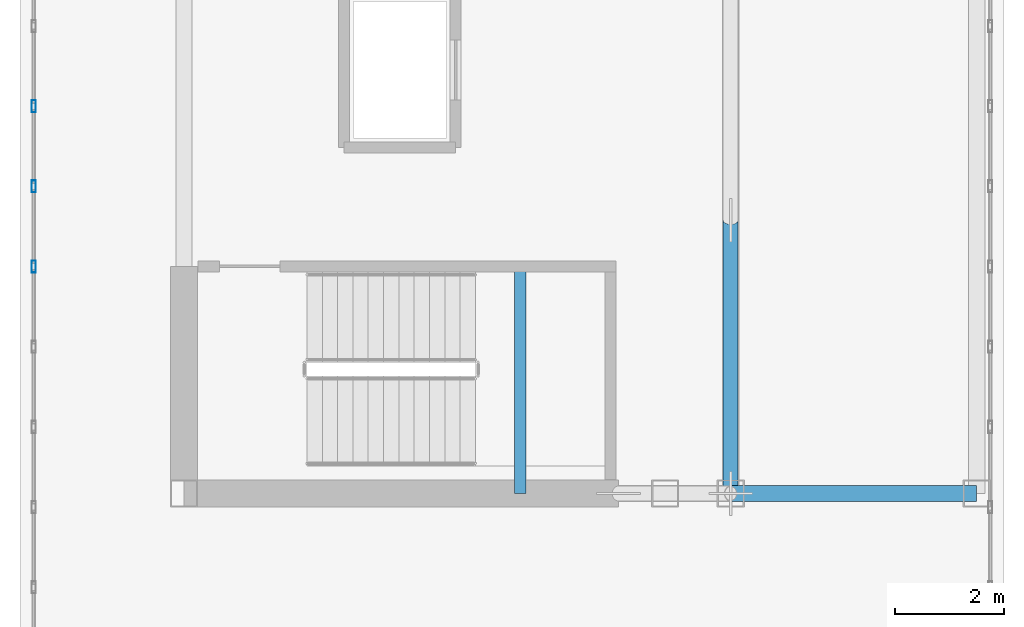
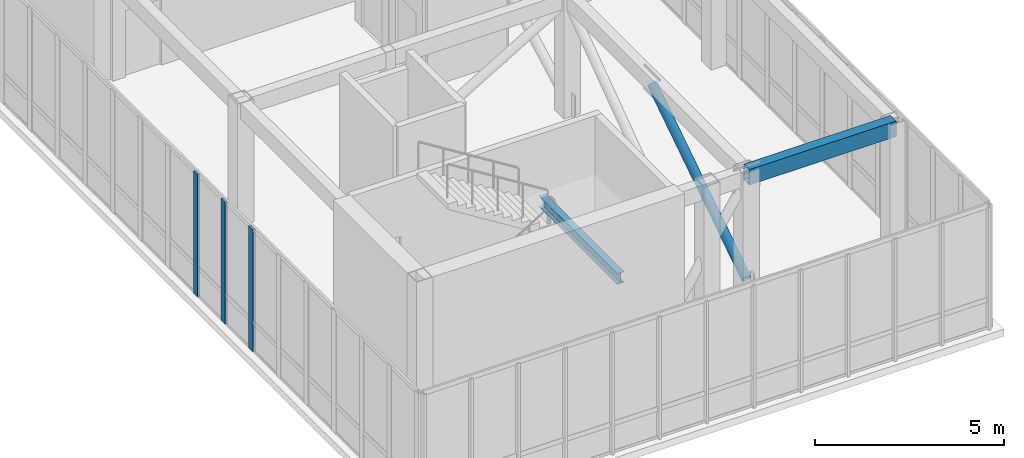
# One storey, part 3 of 13: 4 members, 2 beams, 1 element without a shape of its own.
"""IFC4 building model written with IfcOpenShell, lengths in metres."""

from ifc_helpers import new_model, si_unit, direction, frame, origin, origin_2d, place, context, subcontext, project, spatial, hollow_rectangle, hollow_circle, i_section, extrude, source, transform, mapped, material, layer, layer_set, material_profile, profile_set, type_object, element, aggregate, save


model = new_model("IFC4")

# Units and contexts
model_context = context("Model", 3, precision=1e-05, world=origin(), true_north=direction((0.0, 1.0)))
body_context = subcontext(model_context, "Body", "Model", "MODEL_VIEW")
ifc_project = project(units=[si_unit("LENGTHUNIT", "METRE"), si_unit("AREAUNIT", "SQUARE_METRE"), si_unit("VOLUMEUNIT", "CUBIC_METRE"), si_unit("PLANEANGLEUNIT", "RADIAN"), si_unit("MASSUNIT", "GRAM", prefix="KILO")], contexts=[model_context])

# Site, building, storey
site_placement = place(None, origin())
site = spatial("IfcSite", under=ifc_project, at=site_placement, CompositionType="ELEMENT")
building_placement = place(site_placement, origin())
building = spatial("IfcBuilding", under=site, at=building_placement, Name="Kharzan Plaza Tower", CompositionType="ELEMENT")
storey_placement = place(building_placement, frame((0.0, 0.0, 281.39990234375)))
storey = spatial("IfcBuildingStorey", under=building, at=storey_placement, Name="L76-CROWN", CompositionType="ELEMENT", Elevation=281.39990234375)

# Beams
ifc_material_1 = material(Name="Steel S355", Category="steel")
ifc_material_profile_1 = material_profile(ifc_material_1, i_section(OverallWidth=0.205078125, OverallDepth=0.35400390625, WebThickness=0.009521484375, FlangeThickness=0.016845703125, at=origin_2d()), Name="W360x79")
ifc_profile_set_1 = profile_set([ifc_material_profile_1], Name="Steel S355")
beam_type_1 = type_object("IfcBeamType", Name="BM-LNT360", PredefinedType="LINTEL", material=ifc_profile_set_1)
shared_shape_1 = source(origin(), body_context, "Body", "SweptSolid", [
    extrude(i_section(OverallWidth=0.205078125, OverallDepth=0.35400390625, WebThickness=0.009521484375, FlangeThickness=0.016845703125, at=origin_2d()), origin(), (0.0, 0.0, 1.0), 4.155029296875),
])
beam_1_placement = place(storey_placement, frame((10.64990234375, 8.5, 1.72314453125), z_axis=(0.0, 1.0, 0.0), x_axis=(-1.0, 0.0, 0.0)))
element("IfcBeam", 1, at=beam_1_placement, inside=storey, type_object=beam_type_1, Name="L76-CROWN Stair ST-1 Half-Landing Beam", PredefinedType="LINTEL", context=body_context, shape_type="MappedRepresentation", body=[
    mapped(shared_shape_1, transform((0.0, 0.0, 0.0), x_axis=(1.0, 0.0, 0.0), y_axis=(0.0, 1.0, 0.0), z_axis=(0.0, 0.0, 1.0))),
])
ifc_material_profile_2 = material_profile(ifc_material_1, hollow_rectangle(XDim=0.300048828125, YDim=0.5, WallThickness=0.02001953125, at=origin_2d()), Name="RHS500x300x20")
ifc_profile_set_2 = profile_set([ifc_material_profile_2], Name="Steel S355")
beam_type_2 = type_object("IfcBeamType", Name="BM-CRN500", PredefinedType="BEAM", material=ifc_profile_set_2)
shared_shape_2 = source(origin(), body_context, "Body", "SweptSolid", [
    extrude(hollow_rectangle(XDim=0.300048828125, YDim=0.5, WallThickness=0.02001953125, at=origin_2d()), origin(), (0.0, 0.0, 1.0), 4.5),
])
beam_2_placement = place(storey_placement, frame((14.5, 8.5, 3.72021484375), z_axis=(1.0, 0.0, 0.0), x_axis=(0.0, 1.0, 0.0)))
element("IfcBeam", 2, at=beam_2_placement, inside=storey, type_object=beam_type_2, Name="L76-CROWN CROWN FRAME Lantern Ring Beam CRB-S3", PredefinedType="BEAM", context=body_context, shape_type="MappedRepresentation", body=[
    mapped(shared_shape_2, transform((0.0, 0.0, 0.0), x_axis=(1.0, 0.0, 0.0), y_axis=(0.0, 1.0, 0.0), z_axis=(0.0, 0.0, 1.0))),
])

# Member
ifc_material_profile_3 = material_profile(ifc_material_1, hollow_circle(Radius=0.136474609375, WallThickness=0.010009765625, at=origin_2d()), Name="CHS273x10")
ifc_profile_set_3 = profile_set([ifc_material_profile_3], Name="Steel S355")
member_type_1 = type_object("IfcMemberType", Name="MEM-CRN-DIAG", PredefinedType="BRACE", material=ifc_profile_set_3)
shared_shape_3 = source(origin(), body_context, "Body", "SweptSolid", [
    extrude(hollow_circle(Radius=0.136474609375, WallThickness=0.010009765625, at=origin_2d()), origin(), (0.0, 0.0, 1.0), 5.974365234375),
])
member_1_placement = place(storey_placement, frame((14.5, 8.5, 0.35009765625), z_axis=(0.0, 0.836909137571, 0.547341845148), x_axis=(-1.0, 0.0, 0.0)))
element("IfcMember", 3, at=member_1_placement, inside=storey, type_object=member_type_1, Name="L76-CROWN CROWN FRAME Diagonal Wind Brace CRD-S1", PredefinedType="BRACE", context=body_context, shape_type="MappedRepresentation", body=[
    mapped(shared_shape_3, transform((0.0, 0.0, 0.0), x_axis=(1.0, 0.0, 0.0), y_axis=(0.0, 1.0, 0.0), z_axis=(0.0, 0.0, 1.0))),
])

# Curtain wall, members
ifc_material_2 = material(Name="Unitised Bronze-Anodized Aluminium and Low-E Glass", Category="aluminium")
ifc_layer = layer(ifc_material_2, 0.199951171875)
ifc_layer_set = layer_set([ifc_layer], Name="Unitised Bronze-Anodized Aluminium and Low-E Glass")
curtain_wall_type = type_object("IfcCurtainWallType", Name="CW-LANTERN-6", PredefinedType="NOTDEFINED", material=ifc_layer_set)
curtain_wall_placement = place(storey_placement, origin())
curtain_wall = element("IfcCurtainWall", 4, at=curtain_wall_placement, inside=storey, type_object=curtain_wall_type, Name="L76-CROWN Lantern Crown Illuminated Curtain Wall 4", PredefinedType="NOTDEFINED")
ifc_material_3 = material(Name="Anodized Bronze Aluminium", Category="aluminium")
ifc_material_profile_4 = material_profile(ifc_material_3, hollow_rectangle(XDim=0.074951171875, YDim=0.219970703125, WallThickness=0.00390625, at=origin_2d()), Name="ALU-M220x75x4")
ifc_profile_set_4 = profile_set([ifc_material_profile_4], Name="Anodized Bronze Aluminium")
member_type_2 = type_object("IfcMemberType", Name="MEM-CW-MUL200", PredefinedType="MULLION", material=ifc_profile_set_4)
shared_shape_4 = source(origin(), body_context, "Body", "SweptSolid", [
    extrude(hollow_rectangle(XDim=0.074951171875, YDim=0.219970703125, WallThickness=0.00390625, at=origin_2d()), origin(), (0.0, 0.0, 1.0), 3.97021484375),
])
member_2_placement = place(storey_placement, frame((1.75, 15.583251953125, 0.0), z_axis=(0.0, 0.0, 1.0), x_axis=(1.0, 0.0, 0.0)))
member_2 = element("IfcMember", 5, at=member_2_placement, type_object=member_type_2, Name="L76-CROWN Curtain-Wall Mullion 13", PredefinedType="MULLION", context=body_context, shape_type="MappedRepresentation", body=[
    mapped(shared_shape_4, transform((0.0, 0.0, 0.0), x_axis=(1.0, 0.0, 0.0), y_axis=(0.0, 1.0, 0.0), z_axis=(0.0, 0.0, 1.0))),
])
member_3_placement = place(storey_placement, frame((1.75, 14.11669921875, 0.0), z_axis=(0.0, 0.0, 1.0), x_axis=(1.0, 0.0, 0.0)))
member_3 = element("IfcMember", 6, at=member_3_placement, type_object=member_type_2, Name="L76-CROWN Curtain-Wall Mullion 14", PredefinedType="MULLION", context=body_context, shape_type="MappedRepresentation", body=[
    mapped(shared_shape_4, transform((0.0, 0.0, 0.0), x_axis=(1.0, 0.0, 0.0), y_axis=(0.0, 1.0, 0.0), z_axis=(0.0, 0.0, 1.0))),
])
member_4_placement = place(storey_placement, frame((1.75, 12.64990234375, 0.0), z_axis=(0.0, 0.0, 1.0), x_axis=(1.0, 0.0, 0.0)))
member_4 = element("IfcMember", 7, at=member_4_placement, type_object=member_type_2, Name="L76-CROWN Curtain-Wall Mullion 15", PredefinedType="MULLION", context=body_context, shape_type="MappedRepresentation", body=[
    mapped(shared_shape_4, transform((0.0, 0.0, 0.0), x_axis=(1.0, 0.0, 0.0), y_axis=(0.0, 1.0, 0.0), z_axis=(0.0, 0.0, 1.0))),
])
aggregate(curtain_wall, [member_2, member_3, member_4])

save(model, "model.ifc")
